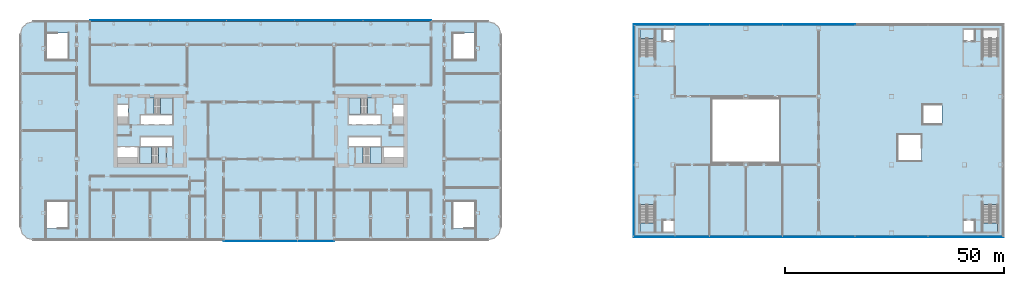
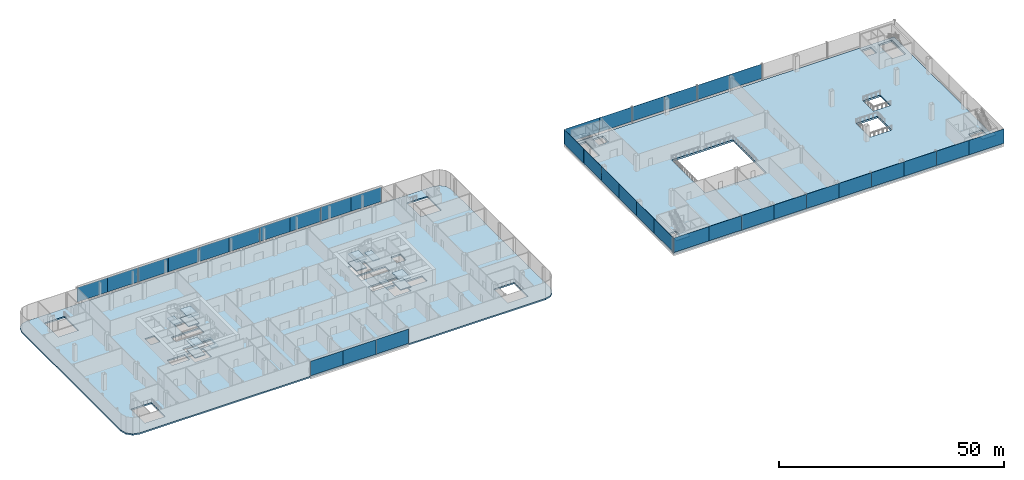
# One storey, part 16 of 53: 35 plates, 17 slabs, 12 elements without a shape of their own.
"""IFC4 building model written with IfcOpenShell, lengths in metres."""

from ifc_helpers import new_model, si_unit, direction, frame, origin, origin_2d, place, context, subcontext, project, spatial, polyline, rectangle, outline, extrude, material, layer, layer_set, type_object, element, aggregate, save


model = new_model("IFC4")

# Units and contexts
model_context = context("Model", 3, precision=1e-05, world=origin(), true_north=direction((0.0, 1.0)))
body_context = subcontext(model_context, "Body", "Model", "MODEL_VIEW")
ifc_project = project(units=[si_unit("LENGTHUNIT", "METRE"), si_unit("AREAUNIT", "SQUARE_METRE"), si_unit("VOLUMEUNIT", "CUBIC_METRE"), si_unit("PLANEANGLEUNIT", "RADIAN"), si_unit("MASSUNIT", "GRAM", prefix="KILO")], contexts=[model_context])

# Site, building, storey
site_placement = place(None, origin())
site = spatial("IfcSite", under=ifc_project, at=site_placement, CompositionType="ELEMENT")
building_placement = place(site_placement, origin())
building = spatial("IfcBuilding", under=site, at=building_placement, Name="Hakoniwa Tower and Hamabe Station Hall", CompositionType="ELEMENT")
storey_placement = place(building_placement, frame((0.0, 0.0, 15.0)))
storey = spatial("IfcBuildingStorey", under=building, at=storey_placement, Name="L03", CompositionType="ELEMENT", Elevation=15.0)

# Stair, slabs
ifc_material_1 = material(Name="Concrete C40", Category="concrete")
stair_type_1 = type_object("IfcStairType", Name="ESCAPE STAIR 1800", PredefinedType="HALF_TURN_STAIR", material=ifc_material_1)
stair_1_placement = place(storey_placement, origin())
stair_1 = element("IfcStair", 1, at=stair_1_placement, inside=storey, type_object=stair_type_1, Name="Escape stair ST-1 L03", PredefinedType="HALF_TURN_STAIR")
ifc_material_2 = material(Name="Concrete C40", Category="concrete")
ifc_layer_1 = layer(ifc_material_2, 0.25)
ifc_layer_set_1 = layer_set([ifc_layer_1], Name="CORE STAIR LANDING 250")
slab_type_1 = type_object("IfcSlabType", Name="CORE STAIR LANDING 250", PredefinedType="LANDING", material=ifc_layer_set_1)
slab_1_placement = place(storey_placement, frame((0.0, 0.0, 0.949951171875)))
slab_1 = element("IfcSlab", 2, at=slab_1_placement, type_object=slab_type_1, Name="ST-1 landing 1", PredefinedType="LANDING", context=body_context, shape_type="SweptSolid", body=[
    extrude(outline(polyline([(-22.840087890625, 3.75), (-20.14990234375, 3.75), (-20.14990234375, 7.5), (-22.840087890625, 7.5), (-22.840087890625, 3.75)])), origin(), (0.0, 0.0, 1.0), 0.25),
])
slab_2_placement = place(storey_placement, frame((0.0, 0.0, 2.14990234375)))
slab_2 = element("IfcSlab", 3, at=slab_2_placement, type_object=slab_type_1, Name="ST-1 landing 2", PredefinedType="LANDING", context=body_context, shape_type="SweptSolid", body=[
    extrude(outline(polyline([(-26.199951171875, 3.75), (-24.39990234375, 3.75), (-24.39990234375, 7.5), (-26.199951171875, 7.5), (-26.199951171875, 3.75)])), origin(), (0.0, 0.0, 1.0), 0.25),
])
slab_3_placement = place(storey_placement, frame((0.0, 0.0, 3.35009765625)))
slab_3 = element("IfcSlab", 4, at=slab_3_placement, type_object=slab_type_1, Name="ST-1 landing 3", PredefinedType="LANDING", context=body_context, shape_type="SweptSolid", body=[
    extrude(outline(polyline([(-22.840087890625, 3.75), (-20.14990234375, 3.75), (-20.14990234375, 7.5), (-22.840087890625, 7.5), (-22.840087890625, 3.75)])), origin(), (0.0, 0.0, 1.0), 0.25),
])
aggregate(stair_1, [slab_1, slab_2, slab_3])

stair_2_placement = place(storey_placement, origin())
stair_2 = element("IfcStair", 5, at=stair_2_placement, inside=storey, type_object=stair_type_1, Name="Escape stair ST-2 L03", PredefinedType="HALF_TURN_STAIR")
slab_4_placement = place(storey_placement, frame((0.0, 0.0, 0.949951171875)))
slab_4 = element("IfcSlab", 6, at=slab_4_placement, type_object=slab_type_1, Name="ST-2 landing 1", PredefinedType="LANDING", context=body_context, shape_type="SweptSolid", body=[
    extrude(outline(polyline([(-24.9599609375, -7.5), (-27.64990234375, -7.5), (-27.64990234375, -3.75), (-24.9599609375, -3.75), (-24.9599609375, -7.5)])), origin(), (0.0, 0.0, 1.0), 0.25),
])
slab_5_placement = place(storey_placement, frame((0.0, 0.0, 2.14990234375)))
slab_5 = element("IfcSlab", 7, at=slab_5_placement, type_object=slab_type_1, Name="ST-2 landing 2", PredefinedType="LANDING", context=body_context, shape_type="SweptSolid", body=[
    extrude(outline(polyline([(-21.60009765625, -7.5), (-23.39990234375, -7.5), (-23.39990234375, -3.75), (-21.60009765625, -3.75), (-21.60009765625, -7.5)])), origin(), (0.0, 0.0, 1.0), 0.25),
])
slab_6_placement = place(storey_placement, frame((0.0, 0.0, 3.35009765625)))
slab_6 = element("IfcSlab", 8, at=slab_6_placement, type_object=slab_type_1, Name="ST-2 landing 3", PredefinedType="LANDING", context=body_context, shape_type="SweptSolid", body=[
    extrude(outline(polyline([(-24.9599609375, -7.5), (-27.64990234375, -7.5), (-27.64990234375, -3.75), (-24.9599609375, -3.75), (-24.9599609375, -7.5)])), origin(), (0.0, 0.0, 1.0), 0.25),
])
aggregate(stair_2, [slab_4, slab_5, slab_6])

stair_3_placement = place(storey_placement, origin())
stair_3 = element("IfcStair", 9, at=stair_3_placement, inside=storey, type_object=stair_type_1, Name="Escape stair ST-3 L03", PredefinedType="HALF_TURN_STAIR")
slab_7_placement = place(storey_placement, frame((0.0, 0.0, 0.949951171875)))
slab_7 = element("IfcSlab", 10, at=slab_7_placement, type_object=slab_type_1, Name="ST-3 landing 1", PredefinedType="LANDING", context=body_context, shape_type="SweptSolid", body=[
    extrude(outline(polyline([(22.840087890625, 3.75), (20.14990234375, 3.75), (20.14990234375, 7.5), (22.840087890625, 7.5), (22.840087890625, 3.75)])), origin(), (0.0, 0.0, 1.0), 0.25),
])
slab_8_placement = place(storey_placement, frame((0.0, 0.0, 2.14990234375)))
slab_8 = element("IfcSlab", 11, at=slab_8_placement, type_object=slab_type_1, Name="ST-3 landing 2", PredefinedType="LANDING", context=body_context, shape_type="SweptSolid", body=[
    extrude(outline(polyline([(26.199951171875, 3.75), (24.39990234375, 3.75), (24.39990234375, 7.5), (26.199951171875, 7.5), (26.199951171875, 3.75)])), origin(), (0.0, 0.0, 1.0), 0.25),
])
slab_9_placement = place(storey_placement, frame((0.0, 0.0, 3.35009765625)))
slab_9 = element("IfcSlab", 12, at=slab_9_placement, type_object=slab_type_1, Name="ST-3 landing 3", PredefinedType="LANDING", context=body_context, shape_type="SweptSolid", body=[
    extrude(outline(polyline([(22.840087890625, 3.75), (20.14990234375, 3.75), (20.14990234375, 7.5), (22.840087890625, 7.5), (22.840087890625, 3.75)])), origin(), (0.0, 0.0, 1.0), 0.25),
])
aggregate(stair_3, [slab_7, slab_8, slab_9])

stair_4_placement = place(storey_placement, origin())
stair_4 = element("IfcStair", 13, at=stair_4_placement, inside=storey, type_object=stair_type_1, Name="Escape stair ST-4 L03", PredefinedType="HALF_TURN_STAIR")
slab_10_placement = place(storey_placement, frame((0.0, 0.0, 0.949951171875)))
slab_10 = element("IfcSlab", 14, at=slab_10_placement, type_object=slab_type_1, Name="ST-4 landing 1", PredefinedType="LANDING", context=body_context, shape_type="SweptSolid", body=[
    extrude(outline(polyline([(24.9599609375, -7.5), (27.64990234375, -7.5), (27.64990234375, -3.75), (24.9599609375, -3.75), (24.9599609375, -7.5)])), origin(), (0.0, 0.0, 1.0), 0.25),
])
slab_11_placement = place(storey_placement, frame((0.0, 0.0, 2.14990234375)))
slab_11 = element("IfcSlab", 15, at=slab_11_placement, type_object=slab_type_1, Name="ST-4 landing 2", PredefinedType="LANDING", context=body_context, shape_type="SweptSolid", body=[
    extrude(outline(polyline([(21.60009765625, -7.5), (23.39990234375, -7.5), (23.39990234375, -3.75), (21.60009765625, -3.75), (21.60009765625, -7.5)])), origin(), (0.0, 0.0, 1.0), 0.25),
])
slab_12_placement = place(storey_placement, frame((0.0, 0.0, 3.35009765625)))
slab_12 = element("IfcSlab", 16, at=slab_12_placement, type_object=slab_type_1, Name="ST-4 landing 3", PredefinedType="LANDING", context=body_context, shape_type="SweptSolid", body=[
    extrude(outline(polyline([(24.9599609375, -7.5), (27.64990234375, -7.5), (27.64990234375, -3.75), (24.9599609375, -3.75), (24.9599609375, -7.5)])), origin(), (0.0, 0.0, 1.0), 0.25),
])
aggregate(stair_4, [slab_10, slab_11, slab_12])

# Curtain wall, plates
ifc_material_3 = material(Name="Dark low-e laminated glass", Category="glass")
ifc_layer_2 = layer(ifc_material_3, 0.199951171875)
ifc_layer_set_2 = layer_set([ifc_layer_2], Name="CW-3 PODIUM LOBBY")
curtain_wall_type_1 = type_object("IfcCurtainWallType", Name="CW-3 PODIUM LOBBY", PredefinedType="NOTDEFINED", material=ifc_layer_set_2)
curtain_wall_1_placement = place(storey_placement, origin())
curtain_wall_1 = element("IfcCurtainWall", 17, at=curtain_wall_1_placement, inside=storey, type_object=curtain_wall_type_1, Name="Podium curtain wall L03 north 1", PredefinedType="NOTDEFINED")
ifc_material_4 = material(Name="Dark low-e laminated glass", Category="glass")
ifc_layer_3 = layer(ifc_material_4, 0.0380859375)
ifc_layer_set_3 = layer_set([ifc_layer_3], Name="CW-3 LOBBY GLASS UNIT")
plate_type_1 = type_object("IfcPlateType", Name="CW-3 LOBBY GLASS UNIT", PredefinedType="CURTAIN_PANEL", material=ifc_layer_set_3)
plate_1_placement = place(storey_placement, frame((35.10009765625, 25.285888671875, 0.35009765625), z_axis=(0.0, 0.0, 1.0), x_axis=(-1.0, 0.0, 0.0)))
plate_1 = element("IfcPlate", 18, at=plate_1_placement, type_object=plate_type_1, Name="CW-3 glass unit", PredefinedType="CURTAIN_PANEL", context=body_context, shape_type="SweptSolid", body=[
    extrude(rectangle(XDim=7.780029296875, YDim=0.0380859375, at=origin_2d()), origin(), (0.0, 0.0, 1.0), 3.89990234375),
])
plate_2_placement = place(storey_placement, frame((27.300048828125, 25.285888671875, 0.35009765625), z_axis=(0.0, 0.0, 1.0), x_axis=(-1.0, 0.0, 0.0)))
plate_2 = element("IfcPlate", 19, at=plate_2_placement, type_object=plate_type_1, Name="CW-3 glass unit", PredefinedType="CURTAIN_PANEL", context=body_context, shape_type="SweptSolid", body=[
    extrude(rectangle(XDim=7.780029296875, YDim=0.0380859375, at=origin_2d()), origin(), (0.0, 0.0, 1.0), 3.89990234375),
])
plate_3_placement = place(storey_placement, frame((19.5, 25.285888671875, 0.35009765625), z_axis=(0.0, 0.0, 1.0), x_axis=(-1.0, 0.0, 0.0)))
plate_3 = element("IfcPlate", 20, at=plate_3_placement, type_object=plate_type_1, Name="CW-3 glass unit", PredefinedType="CURTAIN_PANEL", context=body_context, shape_type="SweptSolid", body=[
    extrude(rectangle(XDim=7.780029296875, YDim=0.0380859375, at=origin_2d()), origin(), (0.0, 0.0, 1.0), 3.89990234375),
])
plate_4_placement = place(storey_placement, frame((11.699951171875, 25.285888671875, 0.35009765625), z_axis=(0.0, 0.0, 1.0), x_axis=(-1.0, 0.0, 0.0)))
plate_4 = element("IfcPlate", 21, at=plate_4_placement, type_object=plate_type_1, Name="CW-3 glass unit", PredefinedType="CURTAIN_PANEL", context=body_context, shape_type="SweptSolid", body=[
    extrude(rectangle(XDim=7.780029296875, YDim=0.0380859375, at=origin_2d()), origin(), (0.0, 0.0, 1.0), 3.89990234375),
])
plate_5_placement = place(storey_placement, frame((3.89990234375, 25.285888671875, 0.35009765625), z_axis=(0.0, 0.0, 1.0), x_axis=(-1.0, 0.0, 0.0)))
plate_5 = element("IfcPlate", 22, at=plate_5_placement, type_object=plate_type_1, Name="CW-3 glass unit", PredefinedType="CURTAIN_PANEL", context=body_context, shape_type="SweptSolid", body=[
    extrude(rectangle(XDim=7.780029296875, YDim=0.0380859375, at=origin_2d()), origin(), (0.0, 0.0, 1.0), 3.89990234375),
])
plate_6_placement = place(storey_placement, frame((-3.89990234375, 25.285888671875, 0.35009765625), z_axis=(0.0, 0.0, 1.0), x_axis=(-1.0, 0.0, 0.0)))
plate_6 = element("IfcPlate", 23, at=plate_6_placement, type_object=plate_type_1, Name="CW-3 glass unit", PredefinedType="CURTAIN_PANEL", context=body_context, shape_type="SweptSolid", body=[
    extrude(rectangle(XDim=7.780029296875, YDim=0.0380859375, at=origin_2d()), origin(), (0.0, 0.0, 1.0), 3.89990234375),
])
plate_7_placement = place(storey_placement, frame((-11.699951171875, 25.285888671875, 0.35009765625), z_axis=(0.0, 0.0, 1.0), x_axis=(-1.0, 0.0, 0.0)))
plate_7 = element("IfcPlate", 24, at=plate_7_placement, type_object=plate_type_1, Name="CW-3 glass unit", PredefinedType="CURTAIN_PANEL", context=body_context, shape_type="SweptSolid", body=[
    extrude(rectangle(XDim=7.780029296875, YDim=0.0380859375, at=origin_2d()), origin(), (0.0, 0.0, 1.0), 3.89990234375),
])
plate_8_placement = place(storey_placement, frame((-19.5, 25.285888671875, 0.35009765625), z_axis=(0.0, 0.0, 1.0), x_axis=(-1.0, 0.0, 0.0)))
plate_8 = element("IfcPlate", 25, at=plate_8_placement, type_object=plate_type_1, Name="CW-3 glass unit", PredefinedType="CURTAIN_PANEL", context=body_context, shape_type="SweptSolid", body=[
    extrude(rectangle(XDim=7.780029296875, YDim=0.0380859375, at=origin_2d()), origin(), (0.0, 0.0, 1.0), 3.89990234375),
])
plate_9_placement = place(storey_placement, frame((-27.300048828125, 25.285888671875, 0.35009765625), z_axis=(0.0, 0.0, 1.0), x_axis=(-1.0, 0.0, 0.0)))
plate_9 = element("IfcPlate", 26, at=plate_9_placement, type_object=plate_type_1, Name="CW-3 glass unit", PredefinedType="CURTAIN_PANEL", context=body_context, shape_type="SweptSolid", body=[
    extrude(rectangle(XDim=7.780029296875, YDim=0.0380859375, at=origin_2d()), origin(), (0.0, 0.0, 1.0), 3.89990234375),
])
plate_10_placement = place(storey_placement, frame((-35.10009765625, 25.285888671875, 0.35009765625), z_axis=(0.0, 0.0, 1.0), x_axis=(-1.0, 0.0, 0.0)))
plate_10 = element("IfcPlate", 27, at=plate_10_placement, type_object=plate_type_1, Name="CW-3 glass unit", PredefinedType="CURTAIN_PANEL", context=body_context, shape_type="SweptSolid", body=[
    extrude(rectangle(XDim=7.780029296875, YDim=0.0380859375, at=origin_2d()), origin(), (0.0, 0.0, 1.0), 3.89990234375),
])
aggregate(curtain_wall_1, [plate_1, plate_2, plate_3, plate_4, plate_5, plate_6, plate_7, plate_8, plate_9, plate_10])

curtain_wall_2_placement = place(storey_placement, origin())
curtain_wall_2 = element("IfcCurtainWall", 28, at=curtain_wall_2_placement, inside=storey, type_object=curtain_wall_type_1, Name="Podium curtain wall L03 south 2", PredefinedType="NOTDEFINED")
plate_11_placement = place(storey_placement, frame((-4.199951171875, -25.285888671875, 0.35009765625), z_axis=(0.0, 0.0, 1.0), x_axis=(1.0, 0.0, 0.0)))
plate_11 = element("IfcPlate", 29, at=plate_11_placement, type_object=plate_type_1, Name="CW-3 glass unit", PredefinedType="CURTAIN_PANEL", context=body_context, shape_type="SweptSolid", body=[
    extrude(rectangle(XDim=8.3798828125, YDim=0.0380859375, at=origin_2d()), origin(), (0.0, 0.0, 1.0), 3.89990234375),
])
plate_12_placement = place(storey_placement, frame((4.199951171875, -25.285888671875, 0.35009765625), z_axis=(0.0, 0.0, 1.0), x_axis=(1.0, 0.0, 0.0)))
plate_12 = element("IfcPlate", 30, at=plate_12_placement, type_object=plate_type_1, Name="CW-3 glass unit", PredefinedType="CURTAIN_PANEL", context=body_context, shape_type="SweptSolid", body=[
    extrude(rectangle(XDim=8.3798828125, YDim=0.0380859375, at=origin_2d()), origin(), (0.0, 0.0, 1.0), 3.89990234375),
])
plate_13_placement = place(storey_placement, frame((12.60009765625, -25.285888671875, 0.35009765625), z_axis=(0.0, 0.0, 1.0), x_axis=(1.0, 0.0, 0.0)))
plate_13 = element("IfcPlate", 31, at=plate_13_placement, type_object=plate_type_1, Name="CW-3 glass unit", PredefinedType="CURTAIN_PANEL", context=body_context, shape_type="SweptSolid", body=[
    extrude(rectangle(XDim=8.3798828125, YDim=0.0380859375, at=origin_2d()), origin(), (0.0, 0.0, 1.0), 3.89990234375),
])
aggregate(curtain_wall_2, [plate_11, plate_12, plate_13])

ifc_material_5 = material(Name="Dark low-e laminated glass", Category="glass")
ifc_layer_4 = layer(ifc_material_5, 0.199951171875)
ifc_layer_set_4 = layer_set([ifc_layer_4], Name="CW-7 STATION")
curtain_wall_type_2 = type_object("IfcCurtainWallType", Name="CW-7 STATION", PredefinedType="NOTDEFINED", material=ifc_layer_set_4)
curtain_wall_3_placement = place(storey_placement, origin())
curtain_wall_3 = element("IfcCurtainWall", 32, at=curtain_wall_3_placement, inside=storey, type_object=curtain_wall_type_2, Name="Station curtain wall L03 south", PredefinedType="NOTDEFINED")
ifc_material_6 = material(Name="Dark low-e laminated glass", Category="glass")
ifc_layer_5 = layer(ifc_material_6, 0.0400390625)
ifc_layer_set_5 = layer_set([ifc_layer_5], Name="CW-7 STATION GLASS UNIT")
plate_type_2 = type_object("IfcPlateType", Name="CW-7 STATION GLASS UNIT", PredefinedType="CURTAIN_PANEL", material=ifc_layer_set_5)
plate_14_placement = place(storey_placement, frame((89.760009765625, -24.285888671875, 0.35009765625), z_axis=(0.0, 0.0, 1.0), x_axis=(1.0, 0.0, 0.0)))
plate_14 = element("IfcPlate", 33, at=plate_14_placement, type_object=plate_type_2, Name="CW-7 glass unit", PredefinedType="CURTAIN_PANEL", context=body_context, shape_type="SweptSolid", body=[
    extrude(rectangle(XDim=9.0, YDim=0.0400390625, at=origin_2d()), origin(), (0.0, 0.0, 1.0), 3.89990234375),
])
plate_15_placement = place(storey_placement, frame((98.429931640625, -24.285888671875, 0.35009765625), z_axis=(0.0, 0.0, 1.0), x_axis=(1.0, 0.0, 0.0)))
plate_15 = element("IfcPlate", 34, at=plate_15_placement, type_object=plate_type_2, Name="CW-7 glass unit", PredefinedType="CURTAIN_PANEL", context=body_context, shape_type="SweptSolid", body=[
    extrude(rectangle(XDim=8.300048828125, YDim=0.0400390625, at=origin_2d()), origin(), (0.0, 0.0, 1.0), 3.89990234375),
])
plate_16_placement = place(storey_placement, frame((106.75, -24.285888671875, 0.35009765625), z_axis=(0.0, 0.0, 1.0), x_axis=(1.0, 0.0, 0.0)))
plate_16 = element("IfcPlate", 35, at=plate_16_placement, type_object=plate_type_2, Name="CW-7 glass unit", PredefinedType="CURTAIN_PANEL", context=body_context, shape_type="SweptSolid", body=[
    extrude(rectangle(XDim=8.300048828125, YDim=0.0400390625, at=origin_2d()), origin(), (0.0, 0.0, 1.0), 3.89990234375),
])
plate_17_placement = place(storey_placement, frame((115.070068359375, -24.285888671875, 0.35009765625), z_axis=(0.0, 0.0, 1.0), x_axis=(1.0, 0.0, 0.0)))
plate_17 = element("IfcPlate", 36, at=plate_17_placement, type_object=plate_type_2, Name="CW-7 glass unit", PredefinedType="CURTAIN_PANEL", context=body_context, shape_type="SweptSolid", body=[
    extrude(rectangle(XDim=8.300048828125, YDim=0.0400390625, at=origin_2d()), origin(), (0.0, 0.0, 1.0), 3.89990234375),
])
plate_18_placement = place(storey_placement, frame((123.389892578125, -24.285888671875, 0.35009765625), z_axis=(0.0, 0.0, 1.0), x_axis=(1.0, 0.0, 0.0)))
plate_18 = element("IfcPlate", 37, at=plate_18_placement, type_object=plate_type_2, Name="CW-7 glass unit", PredefinedType="CURTAIN_PANEL", context=body_context, shape_type="SweptSolid", body=[
    extrude(rectangle(XDim=8.300048828125, YDim=0.0400390625, at=origin_2d()), origin(), (0.0, 0.0, 1.0), 3.89990234375),
])
plate_19_placement = place(storey_placement, frame((131.7099609375, -24.285888671875, 0.35009765625), z_axis=(0.0, 0.0, 1.0), x_axis=(1.0, 0.0, 0.0)))
plate_19 = element("IfcPlate", 38, at=plate_19_placement, type_object=plate_type_2, Name="CW-7 glass unit", PredefinedType="CURTAIN_PANEL", context=body_context, shape_type="SweptSolid", body=[
    extrude(rectangle(XDim=8.300048828125, YDim=0.0400390625, at=origin_2d()), origin(), (0.0, 0.0, 1.0), 3.89990234375),
])
plate_20_placement = place(storey_placement, frame((140.030029296875, -24.285888671875, 0.35009765625), z_axis=(0.0, 0.0, 1.0), x_axis=(1.0, 0.0, 0.0)))
plate_20 = element("IfcPlate", 39, at=plate_20_placement, type_object=plate_type_2, Name="CW-7 glass unit", PredefinedType="CURTAIN_PANEL", context=body_context, shape_type="SweptSolid", body=[
    extrude(rectangle(XDim=8.300048828125, YDim=0.0400390625, at=origin_2d()), origin(), (0.0, 0.0, 1.0), 3.89990234375),
])
plate_21_placement = place(storey_placement, frame((148.35009765625, -24.285888671875, 0.35009765625), z_axis=(0.0, 0.0, 1.0), x_axis=(1.0, 0.0, 0.0)))
plate_21 = element("IfcPlate", 40, at=plate_21_placement, type_object=plate_type_2, Name="CW-7 glass unit", PredefinedType="CURTAIN_PANEL", context=body_context, shape_type="SweptSolid", body=[
    extrude(rectangle(XDim=8.300048828125, YDim=0.0400390625, at=origin_2d()), origin(), (0.0, 0.0, 1.0), 3.89990234375),
])
plate_22_placement = place(storey_placement, frame((156.669921875, -24.285888671875, 0.35009765625), z_axis=(0.0, 0.0, 1.0), x_axis=(1.0, 0.0, 0.0)))
plate_22 = element("IfcPlate", 41, at=plate_22_placement, type_object=plate_type_2, Name="CW-7 glass unit", PredefinedType="CURTAIN_PANEL", context=body_context, shape_type="SweptSolid", body=[
    extrude(rectangle(XDim=8.300048828125, YDim=0.0400390625, at=origin_2d()), origin(), (0.0, 0.0, 1.0), 3.89990234375),
])
plate_23_placement = place(storey_placement, frame((165.340087890625, -24.285888671875, 0.35009765625), z_axis=(0.0, 0.0, 1.0), x_axis=(1.0, 0.0, 0.0)))
plate_23 = element("IfcPlate", 42, at=plate_23_placement, type_object=plate_type_2, Name="CW-7 glass unit", PredefinedType="CURTAIN_PANEL", context=body_context, shape_type="SweptSolid", body=[
    extrude(rectangle(XDim=9.0, YDim=0.0400390625, at=origin_2d()), origin(), (0.0, 0.0, 1.0), 3.89990234375),
])
aggregate(curtain_wall_3, [plate_14, plate_15, plate_16, plate_17, plate_18, plate_19, plate_20, plate_21, plate_22, plate_23])

curtain_wall_4_placement = place(storey_placement, origin())
curtain_wall_4 = element("IfcCurtainWall", 43, at=curtain_wall_4_placement, inside=storey, type_object=curtain_wall_type_2, Name="Station curtain wall L03 north", PredefinedType="NOTDEFINED")
plate_24_placement = place(storey_placement, frame((131.7099609375, 24.285888671875, 0.35009765625), z_axis=(0.0, 0.0, 1.0), x_axis=(-1.0, 0.0, 0.0)))
plate_24 = element("IfcPlate", 44, at=plate_24_placement, type_object=plate_type_2, Name="CW-7 glass unit", PredefinedType="CURTAIN_PANEL", context=body_context, shape_type="SweptSolid", body=[
    extrude(rectangle(XDim=8.300048828125, YDim=0.0400390625, at=origin_2d()), origin(), (0.0, 0.0, 1.0), 3.89990234375),
])
plate_25_placement = place(storey_placement, frame((123.389892578125, 24.285888671875, 0.35009765625), z_axis=(0.0, 0.0, 1.0), x_axis=(-1.0, 0.0, 0.0)))
plate_25 = element("IfcPlate", 45, at=plate_25_placement, type_object=plate_type_2, Name="CW-7 glass unit", PredefinedType="CURTAIN_PANEL", context=body_context, shape_type="SweptSolid", body=[
    extrude(rectangle(XDim=8.300048828125, YDim=0.0400390625, at=origin_2d()), origin(), (0.0, 0.0, 1.0), 3.89990234375),
])
plate_26_placement = place(storey_placement, frame((115.070068359375, 24.285888671875, 0.35009765625), z_axis=(0.0, 0.0, 1.0), x_axis=(-1.0, 0.0, 0.0)))
plate_26 = element("IfcPlate", 46, at=plate_26_placement, type_object=plate_type_2, Name="CW-7 glass unit", PredefinedType="CURTAIN_PANEL", context=body_context, shape_type="SweptSolid", body=[
    extrude(rectangle(XDim=8.300048828125, YDim=0.0400390625, at=origin_2d()), origin(), (0.0, 0.0, 1.0), 3.89990234375),
])
plate_27_placement = place(storey_placement, frame((106.75, 24.285888671875, 0.35009765625), z_axis=(0.0, 0.0, 1.0), x_axis=(-1.0, 0.0, 0.0)))
plate_27 = element("IfcPlate", 47, at=plate_27_placement, type_object=plate_type_2, Name="CW-7 glass unit", PredefinedType="CURTAIN_PANEL", context=body_context, shape_type="SweptSolid", body=[
    extrude(rectangle(XDim=8.300048828125, YDim=0.0400390625, at=origin_2d()), origin(), (0.0, 0.0, 1.0), 3.89990234375),
])
plate_28_placement = place(storey_placement, frame((98.429931640625, 24.285888671875, 0.35009765625), z_axis=(0.0, 0.0, 1.0), x_axis=(-1.0, 0.0, 0.0)))
plate_28 = element("IfcPlate", 48, at=plate_28_placement, type_object=plate_type_2, Name="CW-7 glass unit", PredefinedType="CURTAIN_PANEL", context=body_context, shape_type="SweptSolid", body=[
    extrude(rectangle(XDim=8.300048828125, YDim=0.0400390625, at=origin_2d()), origin(), (0.0, 0.0, 1.0), 3.89990234375),
])
plate_29_placement = place(storey_placement, frame((89.760009765625, 24.285888671875, 0.35009765625), z_axis=(0.0, 0.0, 1.0), x_axis=(-1.0, 0.0, 0.0)))
plate_29 = element("IfcPlate", 49, at=plate_29_placement, type_object=plate_type_2, Name="CW-7 glass unit", PredefinedType="CURTAIN_PANEL", context=body_context, shape_type="SweptSolid", body=[
    extrude(rectangle(XDim=9.0, YDim=0.0400390625, at=origin_2d()), origin(), (0.0, 0.0, 1.0), 3.89990234375),
])
aggregate(curtain_wall_4, [plate_24, plate_25, plate_26, plate_27, plate_28, plate_29])

curtain_wall_5_placement = place(storey_placement, origin())
curtain_wall_5 = element("IfcCurtainWall", 50, at=curtain_wall_5_placement, inside=storey, type_object=curtain_wall_type_2, Name="Station curtain wall L03 west", PredefinedType="NOTDEFINED")
plate_30_placement = place(storey_placement, frame((85.263916015625, 19.85009765625, 0.35009765625), z_axis=(0.0, 0.0, 1.0), x_axis=(0.0, -1.0, 0.0)))
plate_30 = element("IfcPlate", 51, at=plate_30_placement, type_object=plate_type_2, Name="CW-7 glass unit", PredefinedType="CURTAIN_PANEL", context=body_context, shape_type="SweptSolid", body=[
    extrude(rectangle(XDim=8.47998046875, YDim=0.0400390625, at=origin_2d()), origin(), (0.0, 0.0, 1.0), 3.89990234375),
])
plate_31_placement = place(storey_placement, frame((85.263916015625, 11.699951171875, 0.35009765625), z_axis=(0.0, 0.0, 1.0), x_axis=(0.0, -1.0, 0.0)))
plate_31 = element("IfcPlate", 52, at=plate_31_placement, type_object=plate_type_2, Name="CW-7 glass unit", PredefinedType="CURTAIN_PANEL", context=body_context, shape_type="SweptSolid", body=[
    extrude(rectangle(XDim=7.780029296875, YDim=0.0400390625, at=origin_2d()), origin(), (0.0, 0.0, 1.0), 3.89990234375),
])
plate_32_placement = place(storey_placement, frame((85.263916015625, 3.89990234375, 0.35009765625), z_axis=(0.0, 0.0, 1.0), x_axis=(0.0, -1.0, 0.0)))
plate_32 = element("IfcPlate", 53, at=plate_32_placement, type_object=plate_type_2, Name="CW-7 glass unit", PredefinedType="CURTAIN_PANEL", context=body_context, shape_type="SweptSolid", body=[
    extrude(rectangle(XDim=7.780029296875, YDim=0.0400390625, at=origin_2d()), origin(), (0.0, 0.0, 1.0), 3.89990234375),
])
plate_33_placement = place(storey_placement, frame((85.263916015625, -3.89990234375, 0.35009765625), z_axis=(0.0, 0.0, 1.0), x_axis=(0.0, -1.0, 0.0)))
plate_33 = element("IfcPlate", 54, at=plate_33_placement, type_object=plate_type_2, Name="CW-7 glass unit", PredefinedType="CURTAIN_PANEL", context=body_context, shape_type="SweptSolid", body=[
    extrude(rectangle(XDim=7.780029296875, YDim=0.0400390625, at=origin_2d()), origin(), (0.0, 0.0, 1.0), 3.89990234375),
])
plate_34_placement = place(storey_placement, frame((85.263916015625, -11.699951171875, 0.35009765625), z_axis=(0.0, 0.0, 1.0), x_axis=(0.0, -1.0, 0.0)))
plate_34 = element("IfcPlate", 55, at=plate_34_placement, type_object=plate_type_2, Name="CW-7 glass unit", PredefinedType="CURTAIN_PANEL", context=body_context, shape_type="SweptSolid", body=[
    extrude(rectangle(XDim=7.780029296875, YDim=0.0400390625, at=origin_2d()), origin(), (0.0, 0.0, 1.0), 3.89990234375),
])
plate_35_placement = place(storey_placement, frame((85.263916015625, -19.85009765625, 0.35009765625), z_axis=(0.0, 0.0, 1.0), x_axis=(0.0, -1.0, 0.0)))
plate_35 = element("IfcPlate", 56, at=plate_35_placement, type_object=plate_type_2, Name="CW-7 glass unit", PredefinedType="CURTAIN_PANEL", context=body_context, shape_type="SweptSolid", body=[
    extrude(rectangle(XDim=8.47998046875, YDim=0.0400390625, at=origin_2d()), origin(), (0.0, 0.0, 1.0), 3.89990234375),
])
aggregate(curtain_wall_5, [plate_30, plate_31, plate_32, plate_33, plate_34, plate_35])

# Slab
ifc_material_7 = material(Name="Concrete C40", Category="concrete")
ifc_layer_6 = layer(ifc_material_7, 0.39990234375)
ifc_layer_set_6 = layer_set([ifc_layer_6], Name="PODIUM FLOOR SLAB 400")
slab_type_2 = type_object("IfcSlabType", Name="PODIUM FLOOR SLAB 400", PredefinedType="FLOOR", material=ifc_layer_set_6)
slab_13_placement = place(storey_placement, frame((0.0, 0.0, -0.39990234375)))
element("IfcSlab", 57, at=slab_13_placement, inside=storey, type_object=slab_type_2, Name="Floor slab L03", PredefinedType="FLOOR", context=body_context, shape_type="SweptSolid", body=[
    extrude(outline(polyline([(55.0, -22.0), (55.0, 22.0), (54.59814453125, 23.5), (53.5, 24.59814453125), (52.0, 25.0), (-52.0, 25.0), (-53.5, 24.59814453125), (-54.59814453125, 23.5), (-55.0, 22.0), (-55.0, -22.0), (-54.59814453125, -23.5), (-53.5, -24.59814453125), (-52.0, -25.0), (52.0, -25.0), (53.5, -24.59814453125), (54.59814453125, -23.5), (55.0, -22.0)]), holes=[polyline([(-27.39990234375, 1.449951171875), (-27.39990234375, 3.5), (-20.14990234375, 3.5), (-20.14990234375, 1.449951171875), (-27.39990234375, 1.449951171875)]), polyline([(-27.39990234375, -3.5), (-27.39990234375, -1.449951171875), (-20.14990234375, -1.449951171875), (-20.14990234375, -3.5), (-27.39990234375, -3.5)]), polyline([(-32.699951171875, 3.300048828125), (-32.699951171875, 5.949951171875), (-30.300048828125, 5.949951171875), (-30.300048828125, 3.300048828125), (-32.699951171875, 3.300048828125)]), polyline([(-32.699951171875, -6.0), (-32.699951171875, -3.75), (-28.14990234375, -3.75), (-28.14990234375, -6.0), (-32.699951171875, -6.0)]), polyline([(-24.389892578125, 3.75), (-24.389892578125, 7.5), (-20.14990234375, 7.5), (-20.14990234375, 3.75), (-24.389892578125, 3.75)]), polyline([(-27.64990234375, -7.5), (-27.64990234375, -3.75), (-23.409912109375, -3.75), (-23.409912109375, -7.5), (-27.64990234375, -7.5)]), polyline([(20.14990234375, 1.449951171875), (20.14990234375, 3.5), (27.39990234375, 3.5), (27.39990234375, 1.449951171875), (20.14990234375, 1.449951171875)]), polyline([(20.14990234375, -3.5), (20.14990234375, -1.449951171875), (27.39990234375, -1.449951171875), (27.39990234375, -3.5), (20.14990234375, -3.5)]), polyline([(30.300048828125, 3.300048828125), (30.300048828125, 5.949951171875), (32.699951171875, 5.949951171875), (32.699951171875, 3.300048828125), (30.300048828125, 3.300048828125)]), polyline([(28.14990234375, -6.0), (28.14990234375, -3.75), (32.699951171875, -3.75), (32.699951171875, -6.0), (28.14990234375, -6.0)]), polyline([(20.14990234375, 3.75), (20.14990234375, 7.5), (24.389892578125, 7.5), (24.389892578125, 3.75), (20.14990234375, 3.75)]), polyline([(23.409912109375, -7.5), (23.409912109375, -3.75), (27.64990234375, -3.75), (27.64990234375, -7.5), (23.409912109375, -7.5)]), polyline([(-49.050048828125, 16.14990234375), (-49.050048828125, 22.340087890625), (-43.85009765625, 22.340087890625), (-43.85009765625, 16.14990234375), (-49.050048828125, 16.14990234375)]), polyline([(43.85009765625, 16.14990234375), (43.85009765625, 22.340087890625), (49.050048828125, 22.340087890625), (49.050048828125, 16.14990234375), (43.85009765625, 16.14990234375)]), polyline([(43.85009765625, -22.340087890625), (43.85009765625, -16.14990234375), (49.050048828125, -16.14990234375), (49.050048828125, -22.340087890625), (43.85009765625, -22.340087890625)]), polyline([(-49.050048828125, -22.340087890625), (-49.050048828125, -16.14990234375), (-43.85009765625, -16.14990234375), (-43.85009765625, -22.340087890625), (-49.050048828125, -22.340087890625)])]), origin(), (0.0, 0.0, 1.0), 0.39990234375),
])

# Stair, slab
ifc_material_8 = material(Name="Concrete C40", Category="concrete")
stair_type_2 = type_object("IfcStairType", Name="STAIR 1600 16X150", PredefinedType="HALF_TURN_STAIR", material=ifc_material_8)
stair_5_placement = place(storey_placement, origin())
stair_5 = element("IfcStair", 58, at=stair_5_placement, inside=storey, type_object=stair_type_2, Name="Escape stair SS1 L03", PredefinedType="HALF_TURN_STAIR")
ifc_material_9 = material(Name="Concrete C40", Category="concrete")
ifc_layer_7 = layer(ifc_material_9, 0.25)
ifc_layer_set_7 = layer_set([ifc_layer_7], Name="STAIR LANDING 250")
slab_type_3 = type_object("IfcSlabType", Name="STAIR LANDING 250", PredefinedType="LANDING", material=ifc_layer_set_7)
slab_14_placement = place(storey_placement, frame((0.0, 0.0, 2.14990234375)))
slab_14 = element("IfcSlab", 59, at=slab_14_placement, type_object=slab_type_3, Name="SS1 landing 1", PredefinedType="LANDING", context=body_context, shape_type="SweptSolid", body=[
    extrude(outline(polyline([(90.050048828125, 21.10009765625), (90.050048828125, 23.10009765625), (86.64990234375, 23.10009765625), (86.64990234375, 21.10009765625), (90.050048828125, 21.10009765625)])), origin(), (0.0, 0.0, 1.0), 0.25),
])
aggregate(stair_5, [slab_14])

stair_6_placement = place(storey_placement, origin())
stair_6 = element("IfcStair", 60, at=stair_6_placement, inside=storey, type_object=stair_type_2, Name="Escape stair SS3 L03", PredefinedType="HALF_TURN_STAIR")
slab_15_placement = place(storey_placement, frame((0.0, 0.0, 2.14990234375)))
slab_15 = element("IfcSlab", 61, at=slab_15_placement, type_object=slab_type_3, Name="SS3 landing 1", PredefinedType="LANDING", context=body_context, shape_type="SweptSolid", body=[
    extrude(outline(polyline([(86.64990234375, -21.10009765625), (86.64990234375, -23.10009765625), (90.050048828125, -23.10009765625), (90.050048828125, -21.10009765625), (86.64990234375, -21.10009765625)])), origin(), (0.0, 0.0, 1.0), 0.25),
])
aggregate(stair_6, [slab_15])

stair_7_placement = place(storey_placement, origin())
stair_7 = element("IfcStair", 62, at=stair_7_placement, inside=storey, type_object=stair_type_2, Name="Escape stair SS4 L03", PredefinedType="HALF_TURN_STAIR")
slab_16_placement = place(storey_placement, frame((0.0, 0.0, 2.14990234375)))
slab_16 = element("IfcSlab", 63, at=slab_16_placement, type_object=slab_type_3, Name="SS4 landing 1", PredefinedType="LANDING", context=body_context, shape_type="SweptSolid", body=[
    extrude(outline(polyline([(165.050048828125, -21.10009765625), (165.050048828125, -23.10009765625), (168.449951171875, -23.10009765625), (168.449951171875, -21.10009765625), (165.050048828125, -21.10009765625)])), origin(), (0.0, 0.0, 1.0), 0.25),
])
aggregate(stair_7, [slab_16])

# Slab
ifc_material_10 = material(Name="Concrete C40", Category="concrete")
ifc_layer_8 = layer(ifc_material_10, 0.5)
ifc_layer_set_8 = layer_set([ifc_layer_8], Name="STATION FLOOR SLAB 500")
slab_type_4 = type_object("IfcSlabType", Name="STATION FLOOR SLAB 500", PredefinedType="FLOOR", material=ifc_layer_set_8)
slab_17_placement = place(storey_placement, frame((0.0, 0.0, -0.5)))
element("IfcSlab", 64, at=slab_17_placement, inside=storey, type_object=slab_type_4, Name="Station floor slab L03", PredefinedType="FLOOR", context=body_context, shape_type="SweptSolid", body=[
    extrude(outline(polyline([(169.550048828125, -24.0), (169.550048828125, 24.0), (85.550048828125, 24.0), (85.550048828125, -24.0), (169.550048828125, -24.0)]), holes=[polyline([(118.75, -7.35009765625), (103.050048828125, -7.35009765625), (103.050048828125, 7.35009765625), (118.75, 7.35009765625), (118.75, -7.35009765625)]), polyline([(94.3701171875, 20.5), (91.949951171875, 20.5), (91.949951171875, 23.10009765625), (94.3701171875, 23.10009765625), (94.3701171875, 20.5)]), polyline([(90.050048828125, 16.909912109375), (86.64990234375, 16.909912109375), (86.64990234375, 23.10009765625), (90.050048828125, 23.10009765625), (90.050048828125, 16.909912109375)]), polyline([(163.14990234375, 20.5), (160.72998046875, 20.5), (160.72998046875, 23.10009765625), (163.14990234375, 23.10009765625), (163.14990234375, 20.5)]), polyline([(168.449951171875, 16.909912109375), (165.050048828125, 16.909912109375), (165.050048828125, 23.10009765625), (168.449951171875, 23.10009765625), (168.449951171875, 16.909912109375)]), polyline([(94.3701171875, -23.10009765625), (91.949951171875, -23.10009765625), (91.949951171875, -20.5), (94.3701171875, -20.5), (94.3701171875, -23.10009765625)]), polyline([(90.050048828125, -23.10009765625), (86.64990234375, -23.10009765625), (86.64990234375, -16.909912109375), (90.050048828125, -16.909912109375), (90.050048828125, -23.10009765625)]), polyline([(163.14990234375, -23.10009765625), (160.72998046875, -23.10009765625), (160.72998046875, -20.5), (163.14990234375, -20.5), (163.14990234375, -23.10009765625)]), polyline([(168.449951171875, -23.10009765625), (165.050048828125, -23.10009765625), (165.050048828125, -16.909912109375), (168.449951171875, -16.909912109375), (168.449951171875, -23.10009765625)]), polyline([(151.06005859375, -0.800048828125), (151.06005859375, -7.0), (145.550048828125, -7.0), (145.550048828125, -0.800048828125), (151.06005859375, -0.800048828125)]), polyline([(155.67626953125, 1.39990234375), (151.259521484375, 1.39990234375), (151.259521484375, 6.0), (155.67626953125, 6.0), (155.67626953125, 1.39990234375)])]), origin(), (0.0, 0.0, 1.0), 0.5),
])

save(model, "model.ifc")
